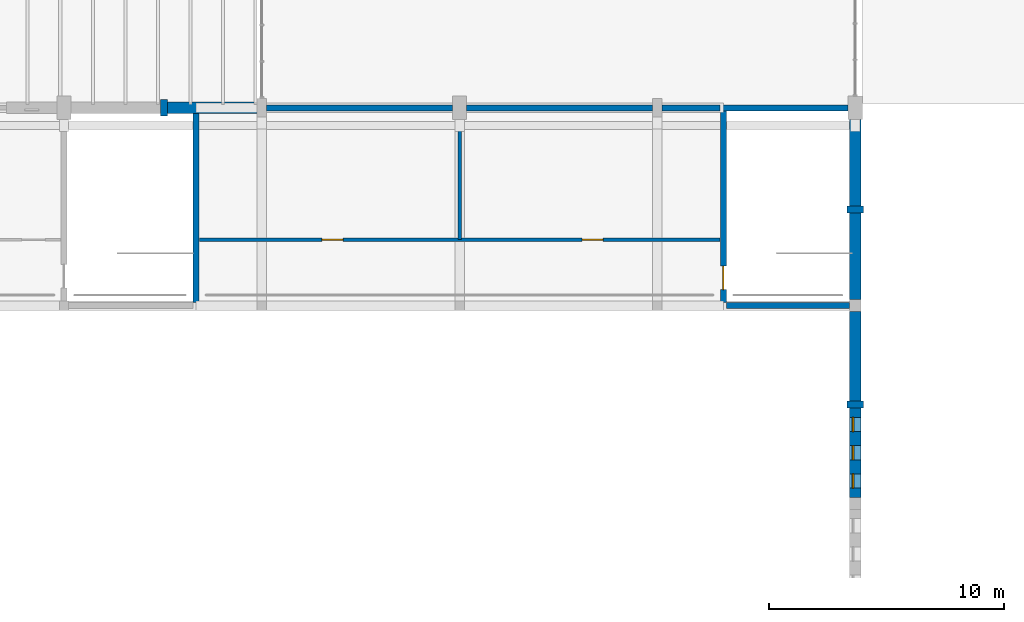
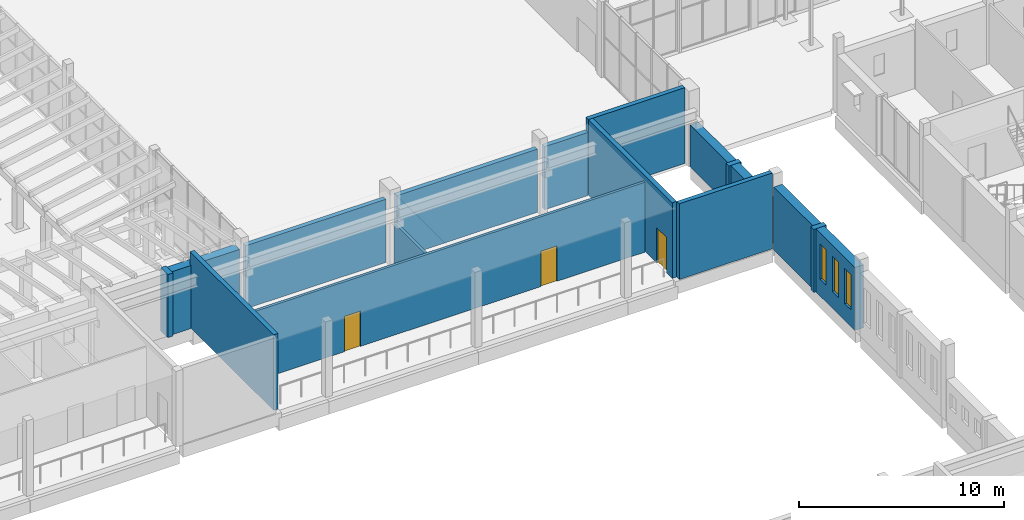
# One storey, part 39 of 60: 17 walls, 3 doors, 3 windows, 6 openings.
"""IFC4 building model written with IfcOpenShell, lengths in metres."""

import ifcopenshell
import ifcopenshell.guid

model = None  # the IFC model being written
_history = None  # IfcOwnerHistory: only IFC2X3 demands one
_inside = {}  # id of a spatial element -> (the spatial element, [elements in it])
_under = {}  # id of a project, library or spatial element -> (it, [spatial elements below it])
_declared = {}  # id of a project -> (the project, [libraries it declares])
_typed = {}  # id of a type object -> (the type object, [elements of that type])
_made_of = {}  # id of a material, layer set ... -> (it, [elements and type objects made of it])


def new_model(schema):
    """Start an empty IFC model of exactly this schema.

    Asked for "IFC4X3", IfcOpenShell would pick the latest addendum, in which some entities
    have other attributes; the version numbers below select the first issue.
    IFC2X3 requires an IfcOwnerHistory on every rooted entity: one is made here for all.
    """
    global model, _history
    if schema == "IFC4X3":
        model = ifcopenshell.file(schema_version=(4, 3, 0, 0))
    else:
        model = ifcopenshell.file(schema=schema)
    _inside.clear()
    _under.clear()
    _declared.clear()
    _typed.clear()
    _made_of.clear()
    _history = None
    if model.schema == "IFC2X3":
        org = make("IfcOrganization", Name="unknown")
        user = make(
            "IfcPersonAndOrganization",
            ThePerson=make("IfcPerson", FamilyName="unknown"),
            TheOrganization=org,
        )
        app = make(
            "IfcApplication",
            ApplicationDeveloper=org,
            Version="unknown",
            ApplicationFullName="unknown",
            ApplicationIdentifier="unknown",
        )
        _history = make(
            "IfcOwnerHistory",
            OwningUser=user,
            OwningApplication=app,
            ChangeAction="ADDED",
            CreationDate=0,
        )
    return model


def make(cls, **values):
    """One entity of the class cls with the attributes given. An attribute that is None is left unset."""
    return model.create_entity(
        cls, **{name: value for name, value in values.items() if value is not None}
    )


def rooted(cls, **values):
    """An entity with a GlobalId (a new one), such as an element, a storey or a relation."""
    return make(cls, GlobalId=ifcopenshell.guid.new(), OwnerHistory=_history, **values)


def si_unit(unit_type, name, prefix=None):
    """IfcSIUnit, for example si_unit("LENGTHUNIT", "METRE", prefix="MILLI")."""
    return make("IfcSIUnit", UnitType=unit_type, Prefix=prefix, Name=name)


def assignment(units):
    """IfcUnitAssignment: the units of a project."""
    return None if units is None else make("IfcUnitAssignment", Units=units)


def point(xyz):
    """IfcCartesianPoint."""
    return None if xyz is None else make("IfcCartesianPoint", Coordinates=xyz)


def direction(xyz):
    """IfcDirection."""
    return None if xyz is None else make("IfcDirection", DirectionRatios=xyz)


def frame(location, z_axis=None, x_axis=None):
    """IfcAxis2Placement3D, a coordinate frame: its origin and axes. An axis left out is left unset."""
    return make(
        "IfcAxis2Placement3D",
        Location=point(location),
        Axis=direction(z_axis),
        RefDirection=direction(x_axis),
    )


def frame_2d(location, x_axis=None):
    """IfcAxis2Placement2D, a coordinate frame in the plane: its origin and x axis."""
    return make(
        "IfcAxis2Placement2D", Location=point(location), RefDirection=direction(x_axis)
    )


def origin():
    """The frame at (0, 0, 0) with its axes left unset."""
    return frame((0.0, 0.0, 0.0))


def place(relative_to, where):
    """IfcLocalPlacement: puts the frame where relative to a parent placement (None: the world)."""
    return make(
        "IfcLocalPlacement", PlacementRelTo=relative_to, RelativePlacement=where
    )


def context(
    kind, dimensions, precision=None, world=None, true_north=None, identifier=None
):
    """IfcGeometricRepresentationContext, for example the 3D "Model" context."""
    return make(
        "IfcGeometricRepresentationContext",
        ContextIdentifier=identifier,
        ContextType=kind,
        CoordinateSpaceDimension=dimensions,
        Precision=precision,
        WorldCoordinateSystem=world,
        TrueNorth=true_north,
    )


def subcontext(parent, identifier, kind, view, scale=None):
    """IfcGeometricRepresentationSubContext, for example "Body" below "Model"."""
    return make(
        "IfcGeometricRepresentationSubContext",
        ContextIdentifier=identifier,
        ContextType=kind,
        ParentContext=parent,
        TargetScale=scale,
        TargetView=view,
    )


def project(units=None, contexts=None):
    """IfcProject with its units and contexts."""
    return rooted(
        "IfcProject",
        Name="project",
        RepresentationContexts=contexts,
        UnitsInContext=assignment(units),
    )


def spatial(cls, under=None, at=None, **own):
    """A site, building, storey or space (cls), placed at a placement, below another one or the project."""
    s = rooted(cls, ObjectPlacement=at, **own)
    if under is not None:
        _under.setdefault(under.id(), (under, []))[1].append(s)
    return s


def profile(cls, at=None, kind="AREA", **sizes):
    """A parametric profile (cls). Its sizes go by their IFC names, for example OverallWidth=200.0."""
    return make(cls, ProfileType=kind, Position=at, **sizes)


def rectangle(**sizes):
    """IfcRectangleProfileDef."""
    return profile("IfcRectangleProfileDef", **sizes)


def extrude(swept, where, along, depth):
    """IfcExtrudedAreaSolid: the profile swept, set in the frame where, extruded along a direction by depth."""
    return make(
        "IfcExtrudedAreaSolid",
        SweptArea=swept,
        Position=where,
        ExtrudedDirection=direction(along),
        Depth=depth,
    )


def shape(context_of_items, identifier, shape_type, items):
    """IfcShapeRepresentation: the items that make up one representation, for example the "Body"."""
    return make(
        "IfcShapeRepresentation",
        ContextOfItems=context_of_items,
        RepresentationIdentifier=identifier,
        RepresentationType=shape_type,
        Items=items,
    )


def material(Name=None, Category=None):
    """IfcMaterial."""
    return make("IfcMaterial", Name=Name, Category=Category)


def layer(
    of_material, thickness, ventilated=None, Name=None, Category=None, Priority=None
):
    """IfcMaterialLayer: one layer of a wall or slab, of a material (None: an air gap)."""
    return make(
        "IfcMaterialLayer",
        Material=of_material,
        LayerThickness=thickness,
        IsVentilated=ventilated,
        Name=Name,
        Category=Category,
        Priority=Priority,
    )


def layer_set(layers, Name=None):
    """IfcMaterialLayerSet."""
    return make("IfcMaterialLayerSet", MaterialLayers=layers, LayerSetName=Name)


def made_of(thing, what):
    """Note that an element or type object is made of a material, layer set ...; save() writes the relation."""
    if what is not None:
        _made_of.setdefault(what.id(), (what, []))[1].append(thing)
    return thing


def type_object(cls, material=None, **own):
    """A type object (cls), such as IfcWallType, which elements share."""
    return made_of(rooted(cls, **own), material)


def element(
    cls,
    number,
    at=None,
    inside=None,
    cuts=None,
    type_object=None,
    material=None,
    context=None,
    identifier="Body",
    shape_type=None,
    held_by="IfcProductDefinitionShape",
    body=None,
    shapes=None,
    **own,
):
    """One element of the class cls, such as IfcWall. Its Tag is "e" and its number.

    at: its placement. inside: the storey or other place that contains it. cuts: it is an
    opening in that element (IfcRelVoidsElement). A single representation is given by context,
    identifier, shape_type and body (its items); several are given by shapes. held_by: the class
    of the entity that holds the representations. save() writes the other relations.
    """
    e = rooted(cls, Tag="e%d" % number, ObjectPlacement=at, **own)
    if body is not None:
        shapes = [shape(context, identifier, shape_type, body)]
    if shapes is not None:
        e.Representation = make(held_by, Representations=shapes)
    if inside is not None:
        _inside.setdefault(inside.id(), (inside, []))[1].append(e)
    if cuts is not None:
        rooted(
            "IfcRelVoidsElement", RelatingBuildingElement=cuts, RelatedOpeningElement=e
        )
    if type_object is not None:
        _typed.setdefault(type_object.id(), (type_object, []))[1].append(e)
    return made_of(e, material)


def fill(opening, filler):
    """IfcRelFillsElement: the door or window that sits in an opening."""
    return rooted(
        "IfcRelFillsElement",
        RelatingOpeningElement=opening,
        RelatedBuildingElement=filler,
    )


def aggregate(whole, parts):
    """IfcRelAggregates: a whole, such as a stair, and the parts it consists of."""
    return rooted("IfcRelAggregates", RelatingObject=whole, RelatedObjects=parts)


def save(model, path):
    """Write the relations noted so far, then the file.

    IfcRelAggregates (storeys below a building ...), IfcRelContainedInSpatialStructure (elements
    in a storey), IfcRelDefinesByType, IfcRelAssociatesMaterial and IfcRelDeclares: one each for
    every whole, place, type object, material and project.
    """
    for whole, parts in _under.values():
        aggregate(whole, parts)
    for where, things in _inside.values():
        rooted(
            "IfcRelContainedInSpatialStructure",
            RelatedElements=things,
            RelatingStructure=where,
        )
    for kind, things in _typed.values():
        rooted("IfcRelDefinesByType", RelatedObjects=things, RelatingType=kind)
    for what, things in _made_of.values():
        rooted("IfcRelAssociatesMaterial", RelatedObjects=things, RelatingMaterial=what)
    for by, libraries in _declared.values():
        rooted("IfcRelDeclares", RelatingContext=by, RelatedDefinitions=libraries)
    model.write(path)


model = new_model("IFC4")

# Units and contexts
model_context = context("Model", 3, precision=1e-05, world=origin(), true_north=direction((0.0, 1.0)))
body_context = subcontext(model_context, "Body", "Model", "MODEL_VIEW")
ifc_project = project(units=[si_unit("LENGTHUNIT", "METRE"), si_unit("AREAUNIT", "SQUARE_METRE"), si_unit("VOLUMEUNIT", "CUBIC_METRE"), si_unit("PLANEANGLEUNIT", "RADIAN"), si_unit("MASSUNIT", "GRAM", prefix="KILO")], contexts=[model_context])

# Site, building, storey
site_placement = place(None, origin())
site = spatial("IfcSite", under=ifc_project, at=site_placement, CompositionType="ELEMENT")
building_placement = place(site_placement, origin())
building = spatial("IfcBuilding", under=site, at=building_placement, Name="Fescue Hill Polytechnic", CompositionType="ELEMENT")
storey_placement = place(building_placement, frame((0.0, 0.0, 4.5)))
storey = spatial("IfcBuildingStorey", under=building, at=storey_placement, Name="L01", CompositionType="ELEMENT", Elevation=4.5)

# Walls
ifc_material_1 = material(Name="Concrete 40 MPa", Category="concrete")
ifc_layer_1 = layer(ifc_material_1, 0.25)
ifc_layer_set_1 = layer_set([ifc_layer_1], Name="Concrete 40 MPa")
wall_type_1 = type_object("IfcWallType", Name="Core wall 250", PredefinedType="SHEAR", material=ifc_layer_set_1)
wall_1_placement = place(storey_placement, frame((89.60009765625, 42.125, 0.0), z_axis=(0.0, 0.0, 1.0), x_axis=(0.0, 1.0, 0.0)))
element("IfcWall", 1, at=wall_1_placement, inside=storey, type_object=wall_type_1, Name="CW-L01-ST-V1-8-41", PredefinedType="SHEAR", context=body_context, shape_type="SweptSolid", body=[
    extrude(rectangle(XDim=8.14990234375, YDim=0.25, at=frame_2d((4.074951171875, 0.0))), origin(), (0.0, 0.0, 1.0), 4.5),
])
wall_2_placement = place(storey_placement, frame((111.875, 50.39990234375, 0.0), z_axis=(0.0, 0.0, 1.0), x_axis=(1.0, 0.0, 0.0)))
element("IfcWall", 2, at=wall_2_placement, inside=storey, type_object=wall_type_1, Name="CW-L01-ST-V1-9-21", PredefinedType="SHEAR", context=body_context, shape_type="SweptSolid", body=[
    extrude(rectangle(XDim=5.425048828125, YDim=0.25, at=frame_2d((2.71240234375, 0.0))), origin(), (0.0, 0.0, 1.0), 4.5),
])

# Wall, opening, door
wall_3_placement = place(storey_placement, frame((112.0, 42.125, 0.0), z_axis=(0.0, 0.0, 1.0), x_axis=(0.0, 1.0, 0.0)))
wall_3 = element("IfcWall", 3, at=wall_3_placement, inside=storey, type_object=wall_type_1, Name="CW-L01-ST-V1-9-31", PredefinedType="SHEAR", context=body_context, shape_type="SweptSolid", body=[
    extrude(rectangle(XDim=8.14990234375, YDim=0.25, at=frame_2d((4.074951171875, 0.0))), origin(), (0.0, 0.0, 1.0), 4.5),
])
opening_1_placement = place(wall_3_placement, frame((0.550048828125, 0.0, 0.0)))
opening_1 = element("IfcOpeningElement", 4, at=opening_1_placement, cuts=wall_3, Name="Opening D1085", PredefinedType="OPENING", context=body_context, shape_type="SweptSolid", body=[
    extrude(rectangle(XDim=1.0, YDim=2.10009765625, at=frame_2d((0.5, 1.050048828125))), frame((0.0, 0.135009765625, 0.0), z_axis=(0.0, -1.0, 0.0), x_axis=(1.0, 0.0, 0.0)), (0.0, 0.0, 1.0), 0.27001953125),
])
ifc_material_2 = material(Name="Steel fire door", Category="steel")
door_type_1 = type_object("IfcDoorType", Name="Door single swing 1000x2100 stair fire rated", OperationType="NOTDEFINED", PredefinedType="DOOR", material=ifc_material_2)
door_1_placement = place(opening_1_placement, origin())
door_1 = element("IfcDoor", 5, at=door_1_placement, inside=storey, type_object=door_type_1, Name="L01 ST-V1-9 stair door", OperationType="SINGLE_SWING_LEFT", OverallHeight=2.10009765625, OverallWidth=1.0, PredefinedType="DOOR", context=body_context, shape_type="SweptSolid", body=[
    extrude(rectangle(XDim=1.0, YDim=2.10009765625, at=frame_2d((0.5, 1.050048828125))), frame((0.0, 0.02490234375, 0.0), z_axis=(0.0, -1.0, 0.0), x_axis=(1.0, 0.0, 0.0)), (0.0, 0.0, 1.0), 0.050048828125),
])
fill(opening_1, door_1)

# Wall
wall_4_placement = place(storey_placement, frame((112.125, 42.0, 0.0), z_axis=(0.0, 0.0, 1.0), x_axis=(1.0, 0.0, 0.0)))
element("IfcWall", 6, at=wall_4_placement, inside=storey, type_object=wall_type_1, Name="SCW-L01-ST-V1-9-s1", PredefinedType="SHEAR", context=body_context, shape_type="SweptSolid", body=[
    extrude(rectangle(XDim=5.22509765625, YDim=0.25, at=frame_2d((2.612548828125, 0.0))), origin(), (0.0, 0.0, 1.0), 4.5),
])

# Wall, openings, doors
ifc_material_3 = material(Name="Gypsum board partition")
ifc_layer_2 = layer(ifc_material_3, 0.14990234375)
ifc_layer_set_2 = layer_set([ifc_layer_2], Name="Gypsum board partition")
wall_type_2 = type_object("IfcWallType", Name="Corridor wall 150 EI 45", PredefinedType="PARTITIONING", material=ifc_layer_set_2)
wall_5_placement = place(storey_placement, frame((89.75, 44.800048828125, 0.0), z_axis=(0.0, 0.0, 1.0), x_axis=(1.0, 0.0, 0.0)))
wall_5 = element("IfcWall", 7, at=wall_5_placement, inside=storey, type_object=wall_type_2, Name="IW-L01-031", PredefinedType="PARTITIONING", context=body_context, shape_type="SweptSolid", body=[
    extrude(rectangle(XDim=22.10009765625, YDim=0.14990234375, at=frame_2d((11.050048828125, 0.0))), origin(), (0.0, 0.0, 1.0), 4.14990234375),
])
opening_2_placement = place(wall_5_placement, frame((5.199951171875, 0.0, 0.0)))
opening_2 = element("IfcOpeningElement", 8, at=opening_2_placement, cuts=wall_5, Name="Opening D1043", PredefinedType="OPENING", context=body_context, shape_type="SweptSolid", body=[
    extrude(rectangle(XDim=0.89990234375, YDim=2.10009765625, at=frame_2d((0.449951171875, 1.050048828125))), frame((0.0, 0.0849609375, 0.0), z_axis=(0.0, -1.0, 0.0), x_axis=(1.0, 0.0, 0.0)), (0.0, 0.0, 1.0), 0.169921875),
])
opening_3_placement = place(wall_5_placement, frame((16.25, 0.0, 0.0)))
opening_3 = element("IfcOpeningElement", 9, at=opening_3_placement, cuts=wall_5, Name="Opening D1044", PredefinedType="OPENING", context=body_context, shape_type="SweptSolid", body=[
    extrude(rectangle(XDim=0.89990234375, YDim=2.10009765625, at=frame_2d((0.449951171875, 1.050048828125))), frame((0.0, 0.0849609375, 0.0), z_axis=(0.0, -1.0, 0.0), x_axis=(1.0, 0.0, 0.0)), (0.0, 0.0, 1.0), 0.169921875),
])
ifc_material_4 = material(Name="Timber", Category="wood")
door_type_2 = type_object("IfcDoorType", Name="Door single swing 900x2100 FD30S", OperationType="SINGLE_SWING_LEFT", PredefinedType="DOOR", material=ifc_material_4)
door_2_placement = place(opening_2_placement, origin())
door_2 = element("IfcDoor", 10, at=door_2_placement, inside=storey, type_object=door_type_2, Name="Door D1043", OperationType="SINGLE_SWING_LEFT", OverallHeight=2.10009765625, OverallWidth=0.89990234375, PredefinedType="DOOR", context=body_context, shape_type="SweptSolid", body=[
    extrude(rectangle(XDim=0.89990234375, YDim=2.10009765625, at=frame_2d((0.449951171875, 1.050048828125))), frame((0.0, 0.02490234375, 0.0), z_axis=(0.0, -1.0, 0.0), x_axis=(1.0, 0.0, 0.0)), (0.0, 0.0, 1.0), 0.050048828125),
])
fill(opening_2, door_2)
door_3_placement = place(opening_3_placement, origin())
door_3 = element("IfcDoor", 11, at=door_3_placement, inside=storey, type_object=door_type_2, Name="Door D1044", OperationType="SINGLE_SWING_RIGHT", OverallHeight=2.10009765625, OverallWidth=0.89990234375, PredefinedType="DOOR", context=body_context, shape_type="SweptSolid", body=[
    extrude(rectangle(XDim=0.89990234375, YDim=2.10009765625, at=frame_2d((0.449951171875, 1.050048828125))), frame((0.0, 0.02490234375, 0.0), z_axis=(0.0, -1.0, 0.0), x_axis=(1.0, 0.0, 0.0)), (0.0, 0.0, 1.0), 0.050048828125),
])
fill(opening_3, door_3)

# Wall, openings, windows
ifc_material_5 = material(Name="Clay brick masonry", Category="masonry")
ifc_layer_3 = layer(ifc_material_5, 0.47998046875)
ifc_layer_set_3 = layer_set([ifc_layer_3], Name="Clay brick masonry")
wall_type_3 = type_object("IfcWallType", Name="Exterior wall engineering brick cavity 480", PredefinedType="SOLIDWALL", material=ifc_layer_set_3)
wall_6_placement = place(storey_placement, frame((117.60009765625, 33.85009765625, 0.0), z_axis=(0.0, 0.0, 1.0), x_axis=(0.0, 1.0, 0.0)))
wall_6 = element("IfcWall", 12, at=wall_6_placement, inside=storey, type_object=wall_type_3, Name="EW-L01-V1-83", PredefinedType="SOLIDWALL", context=body_context, shape_type="SweptSolid", body=[
    extrude(rectangle(XDim=3.7998046875, YDim=0.47998046875, at=frame_2d((1.89990234375, 0.0))), origin(), (0.0, 0.0, 1.0), 3.75),
])
opening_4_placement = place(wall_6_placement, frame((0.39990234375, 0.0, 1.0)))
opening_4 = element("IfcOpeningElement", 13, at=opening_4_placement, cuts=wall_6, Name="Opening W6", PredefinedType="OPENING", context=body_context, shape_type="SweptSolid", body=[
    extrude(rectangle(XDim=0.60009765625, YDim=2.10009765625, at=frame_2d((0.300048828125, 1.050048828125))), frame((0.0, 0.25, 0.0), z_axis=(0.0, -1.0, 0.0), x_axis=(1.0, 0.0, 0.0)), (0.0, 0.0, 1.0), 0.5),
])
opening_5_placement = place(wall_6_placement, frame((1.60009765625, 0.0, 1.0)))
opening_5 = element("IfcOpeningElement", 14, at=opening_5_placement, cuts=wall_6, Name="Opening W6", PredefinedType="OPENING", context=body_context, shape_type="SweptSolid", body=[
    extrude(rectangle(XDim=0.60009765625, YDim=2.10009765625, at=frame_2d((0.300048828125, 1.050048828125))), frame((0.0, 0.25, 0.0), z_axis=(0.0, -1.0, 0.0), x_axis=(1.0, 0.0, 0.0)), (0.0, 0.0, 1.0), 0.5),
])
opening_6_placement = place(wall_6_placement, frame((2.800048828125, 0.0, 1.0)))
opening_6 = element("IfcOpeningElement", 15, at=opening_6_placement, cuts=wall_6, Name="Opening W6", PredefinedType="OPENING", context=body_context, shape_type="SweptSolid", body=[
    extrude(rectangle(XDim=0.60009765625, YDim=2.10009765625, at=frame_2d((0.300048828125, 1.050048828125))), frame((0.0, 0.25, 0.0), z_axis=(0.0, -1.0, 0.0), x_axis=(1.0, 0.0, 0.0)), (0.0, 0.0, 1.0), 0.5),
])
ifc_material_6 = material(Name="Powder-coated aluminium and glass", Category="aluminium")
window_type = type_object("IfcWindowType", Name="Window slot 600x2100", PartitioningType="SINGLE_PANEL", PredefinedType="WINDOW", material=ifc_material_6)
window_1_placement = place(opening_4_placement, origin())
window_1 = element("IfcWindow", 16, at=window_1_placement, inside=storey, type_object=window_type, Name="WN-L01-V1-57", OverallHeight=2.10009765625, OverallWidth=0.60009765625, PartitioningType="SINGLE_PANEL", PredefinedType="WINDOW", context=body_context, shape_type="SweptSolid", body=[
    extrude(rectangle(XDim=0.60009765625, YDim=2.10009765625, at=frame_2d((0.300048828125, 1.050048828125))), frame((0.0, 0.1201171875, 0.0), z_axis=(0.0, -1.0, 0.0), x_axis=(1.0, 0.0, 0.0)), (0.0, 0.0, 1.0), 0.06005859375),
])
fill(opening_4, window_1)
window_2_placement = place(opening_5_placement, origin())
window_2 = element("IfcWindow", 17, at=window_2_placement, inside=storey, type_object=window_type, Name="WN-L01-V1-58", OverallHeight=2.10009765625, OverallWidth=0.60009765625, PartitioningType="SINGLE_PANEL", PredefinedType="WINDOW", context=body_context, shape_type="SweptSolid", body=[
    extrude(rectangle(XDim=0.60009765625, YDim=2.10009765625, at=frame_2d((0.300048828125, 1.050048828125))), frame((0.0, 0.1201171875, 0.0), z_axis=(0.0, -1.0, 0.0), x_axis=(1.0, 0.0, 0.0)), (0.0, 0.0, 1.0), 0.06005859375),
])
fill(opening_5, window_2)
window_3_placement = place(opening_6_placement, origin())
window_3 = element("IfcWindow", 18, at=window_3_placement, inside=storey, type_object=window_type, Name="WN-L01-V1-59", OverallHeight=2.10009765625, OverallWidth=0.60009765625, PartitioningType="SINGLE_PANEL", PredefinedType="WINDOW", context=body_context, shape_type="SweptSolid", body=[
    extrude(rectangle(XDim=0.60009765625, YDim=2.10009765625, at=frame_2d((0.300048828125, 1.050048828125))), frame((0.0, 0.1201171875, 0.0), z_axis=(0.0, -1.0, 0.0), x_axis=(1.0, 0.0, 0.0)), (0.0, 0.0, 1.0), 0.06005859375),
])
fill(opening_6, window_3)

# Walls
wall_7_placement = place(storey_placement, frame((117.60009765625, 37.949951171875, 0.0), z_axis=(0.0, 0.0, 1.0), x_axis=(0.0, 1.0, 0.0)))
element("IfcWall", 19, at=wall_7_placement, inside=storey, type_object=wall_type_3, Name="EW-L01-V1-84", PredefinedType="SOLIDWALL", context=body_context, shape_type="SweptSolid", body=[
    extrude(rectangle(XDim=3.800048828125, YDim=0.47998046875, at=frame_2d((1.89990234375, 0.0))), origin(), (0.0, 0.0, 1.0), 3.75),
])
ifc_layer_4 = layer(ifc_material_5, 0.47998046875)
ifc_layer_set_4 = layer_set([ifc_layer_4], Name="Clay brick masonry")
wall_type_4 = type_object("IfcWallType", Name="Exterior wall engineering brick cavity 480 load-bearing", PredefinedType="SOLIDWALL", material=ifc_layer_set_4)
wall_8_placement = place(storey_placement, frame((117.60009765625, 42.25, 0.0), z_axis=(0.0, 0.0, 1.0), x_axis=(0.0, 1.0, 0.0)))
element("IfcWall", 20, at=wall_8_placement, inside=storey, type_object=wall_type_4, Name="EW-L01-V1-53", PredefinedType="SOLIDWALL", context=body_context, shape_type="SweptSolid", body=[
    extrude(rectangle(XDim=3.675048828125, YDim=0.47998046875, at=frame_2d((1.83740234375, 0.0))), origin(), (0.0, 0.0, 1.0), 2.489013671875),
])
wall_9_placement = place(storey_placement, frame((117.60009765625, 46.22509765625, 0.0), z_axis=(0.0, 0.0, 1.0), x_axis=(0.0, 1.0, 0.0)))
element("IfcWall", 21, at=wall_9_placement, inside=storey, type_object=wall_type_4, Name="EW-L01-V1-54", PredefinedType="SOLIDWALL", context=body_context, shape_type="SweptSolid", body=[
    extrude(rectangle(XDim=3.6748046875, YDim=0.47998046875, at=frame_2d((1.83740234375, 0.0))), origin(), (0.0, 0.0, 1.0), 2.489013671875),
])
wall_10_placement = place(storey_placement, frame((92.199951171875, 50.39990234375, 0.0), z_axis=(0.0, 0.0, 1.0), x_axis=(-1.0, 0.0, 0.0)))
element("IfcWall", 22, at=wall_10_placement, inside=storey, type_object=wall_type_4, Name="EW-L01-V1-55", PredefinedType="SOLIDWALL", context=body_context, shape_type="SweptSolid", body=[
    extrude(rectangle(XDim=3.800048828125, YDim=0.47998046875, at=frame_2d((1.89990234375, 0.0))), origin(), (0.0, 0.0, 1.0), 3.75),
])
ifc_layer_5 = layer(ifc_material_1, 0.699951171875)
ifc_layer_set_5 = layer_set([ifc_layer_5], Name="Concrete 40 MPa")
wall_type_5 = type_object("IfcWallType", Name="Fin wall board-marked 300x700", PredefinedType="SOLIDWALL", material=ifc_layer_set_5)
wall_11_placement = place(storey_placement, frame((117.60009765625, 37.64990234375, 0.0), z_axis=(0.0, 0.0, 1.0), x_axis=(0.0, 1.0, 0.0)))
element("IfcWall", 23, at=wall_11_placement, inside=storey, type_object=wall_type_5, Name="PR-L01-V1-32", PredefinedType="SOLIDWALL", context=body_context, shape_type="SweptSolid", body=[
    extrude(rectangle(XDim=0.300048828125, YDim=0.699951171875, at=frame_2d((0.14990234375, 0.0))), origin(), (0.0, 0.0, 1.0), 3.75),
])
ifc_layer_6 = layer(ifc_material_1, 0.699951171875)
ifc_layer_set_6 = layer_set([ifc_layer_6], Name="Concrete 40 MPa")
wall_type_6 = type_object("IfcWallType", Name="Fin wall board-marked 300x700 load-bearing", PredefinedType="SOLIDWALL", material=ifc_layer_set_6)
wall_12_placement = place(storey_placement, frame((117.60009765625, 45.925048828125, 0.0), z_axis=(0.0, 0.0, 1.0), x_axis=(0.0, 1.0, 0.0)))
element("IfcWall", 24, at=wall_12_placement, inside=storey, type_object=wall_type_6, Name="PR-L01-V1-20", PredefinedType="SOLIDWALL", context=body_context, shape_type="SweptSolid", body=[
    extrude(rectangle(XDim=0.300048828125, YDim=0.699951171875, at=frame_2d((0.14990234375, 0.0))), origin(), (0.0, 0.0, 1.0), 2.489013671875),
])
wall_13_placement = place(storey_placement, frame((88.39990234375, 50.39990234375, 0.0), z_axis=(0.0, 0.0, 1.0), x_axis=(-1.0, 0.0, 0.0)))
element("IfcWall", 25, at=wall_13_placement, inside=storey, type_object=wall_type_6, Name="PR-L01-V1-21", PredefinedType="SOLIDWALL", context=body_context, shape_type="SweptSolid", body=[
    extrude(rectangle(XDim=0.2998046875, YDim=0.699951171875, at=frame_2d((0.14990234375, 0.0))), origin(), (0.0, 0.0, 1.0), 3.75),
])
ifc_layer_7 = layer(ifc_material_3, 0.14990234375)
ifc_layer_set_7 = layer_set([ifc_layer_7], Name="Gypsum board partition")
wall_type_7 = type_object("IfcWallType", Name="Partition stud 150 acoustic", PredefinedType="PARTITIONING", material=ifc_layer_set_7)
wall_14_placement = place(storey_placement, frame((100.800048828125, 44.800048828125, 0.0), z_axis=(0.0, 0.0, 1.0), x_axis=(0.0, 1.0, 0.0)))
element("IfcWall", 26, at=wall_14_placement, inside=storey, type_object=wall_type_7, Name="IW-L01-093", PredefinedType="PARTITIONING", context=body_context, shape_type="SweptSolid", body=[
    extrude(rectangle(XDim=5.099853515625, YDim=0.14990234375, at=frame_2d((2.5498046875, 0.0))), origin(), (0.0, 0.0, 1.0), 2.489013671875),
])
ifc_material_7 = material(Name="Concrete 35 MPa", Category="concrete")
ifc_layer_8 = layer(ifc_material_7, 0.25)
ifc_layer_set_8 = layer_set([ifc_layer_8], Name="Concrete 35 MPa")
wall_type_8 = type_object("IfcWallType", Name="Party wall 250 concrete EI 120", PredefinedType="SOLIDWALL", material=ifc_layer_set_8)
for number, where, z_axis, x_axis, name in (
    (27, (92.60009765625, 50.39990234375, 0.0), (0.0, 0.0, 1.0), (1.0, 0.0, 0.0), "IW-L01-036"),
    (28, (101.10009765625, 50.39990234375, 0.0), (0.0, 0.0, 1.0), (1.0, 0.0, 0.0), "IW-L01-037"),
):
    element("IfcWall", number, at=place(storey_placement, frame(where, z_axis=z_axis, x_axis=x_axis)), inside=storey, type_object=wall_type_8, Name=name, PredefinedType="SOLIDWALL", context=body_context, shape_type="SweptSolid", body=[
        extrude(rectangle(XDim=7.89990234375, YDim=0.25, at=frame_2d((3.949951171875, 0.0))), origin(), (0.0, 0.0, 1.0), 3.75),
    ])
wall_15_placement = place(storey_placement, frame((109.39990234375, 50.39990234375, 0.0), z_axis=(0.0, 0.0, 1.0), x_axis=(1.0, 0.0, 0.0)))
element("IfcWall", 29, at=wall_15_placement, inside=storey, type_object=wall_type_8, Name="IW-L01-038", PredefinedType="SOLIDWALL", context=body_context, shape_type="SweptSolid", body=[
    extrude(rectangle(XDim=2.4501953125, YDim=0.25, at=frame_2d((1.22509765625, 0.0))), origin(), (0.0, 0.0, 1.0), 3.75),
])

save(model, "model.ifc")
